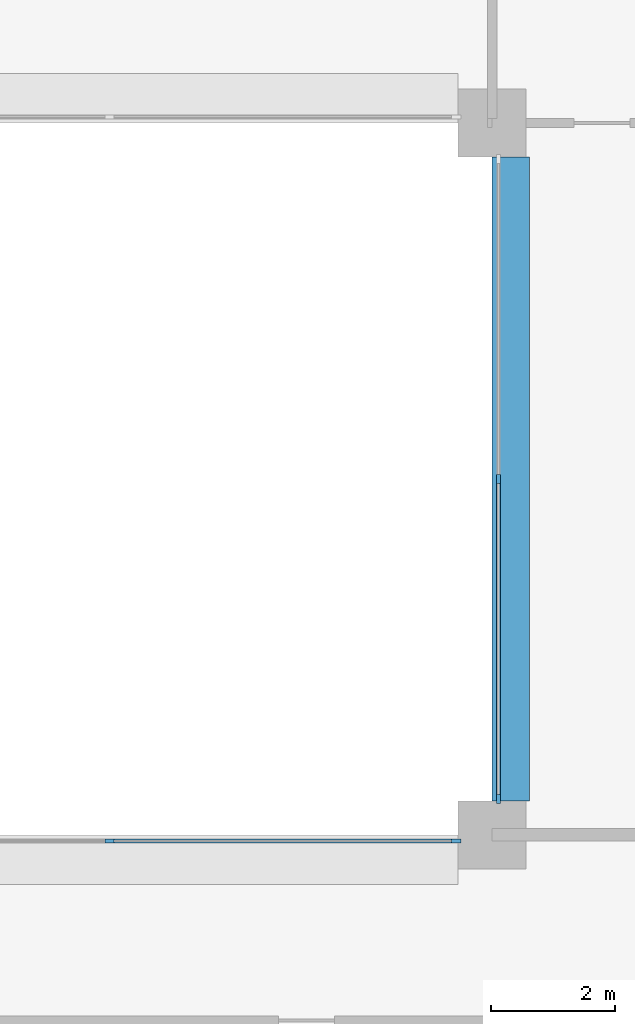
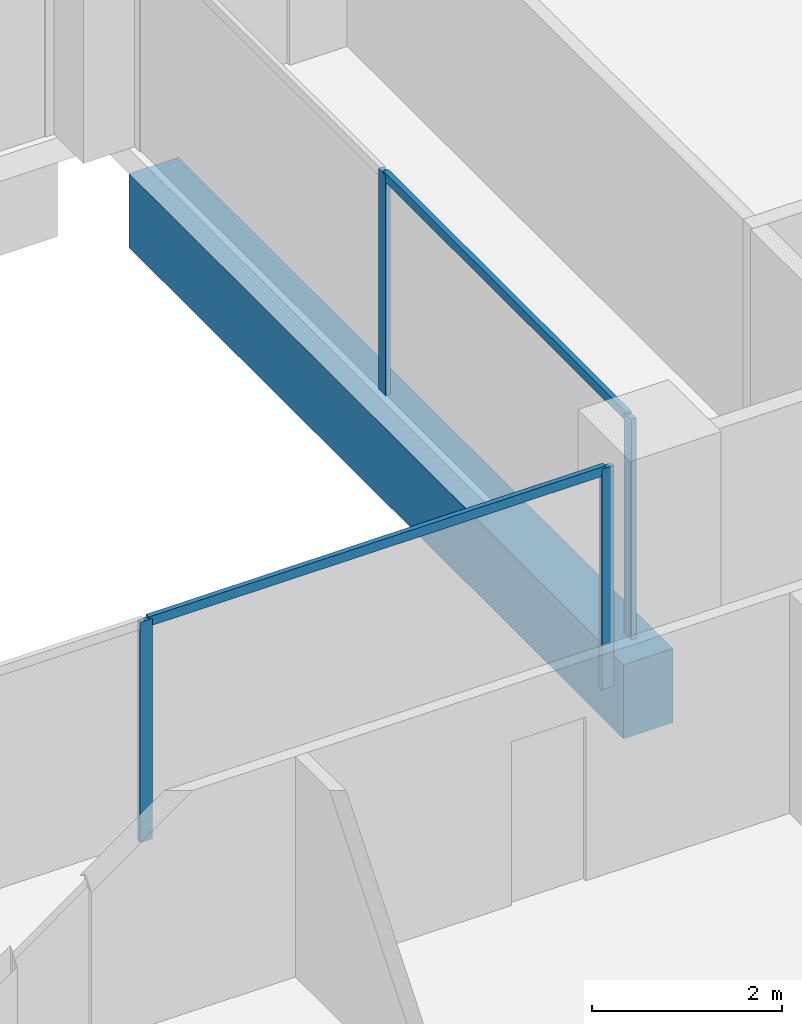
# One storey, part 4 of 15: 6 members, 1 beam, 2 elements without a shape of their own.
"""IFC4 building model written with IfcOpenShell, lengths in metres."""

from ifc_helpers import new_model, si_unit, direction, frame, origin, origin_2d, place, context, subcontext, project, spatial, rectangle, extrude, material, layer, layer_set, material_profile, profile_set, type_object, element, aggregate, save


model = new_model("IFC4")

# Units and contexts
model_context = context("Model", 3, precision=1e-05, world=origin(), true_north=direction((0.0, 1.0)))
body_context = subcontext(model_context, "Body", "Model", "MODEL_VIEW")
ifc_project = project(units=[si_unit("LENGTHUNIT", "METRE"), si_unit("AREAUNIT", "SQUARE_METRE"), si_unit("VOLUMEUNIT", "CUBIC_METRE"), si_unit("PLANEANGLEUNIT", "RADIAN"), si_unit("MASSUNIT", "GRAM", prefix="KILO")], contexts=[model_context])

# Site, building, storey
site_placement = place(None, origin())
site = spatial("IfcSite", under=ifc_project, at=site_placement, CompositionType="ELEMENT")
building_placement = place(site_placement, origin())
building = spatial("IfcBuilding", under=site, at=building_placement, Name="Brigalow Station Residences", CompositionType="ELEMENT")
storey_placement = place(building_placement, frame((0.0, 0.0, 144.449951171875)))
storey = spatial("IfcBuildingStorey", under=building, at=storey_placement, Name="L41", CompositionType="ELEMENT", Elevation=144.449951171875)

# Beam
ifc_material_1 = material(Name="Concrete C65", Category="concrete")
ifc_material_profile_1 = material_profile(ifc_material_1, rectangle(XDim=0.60009765625, YDim=0.949951171875, at=origin_2d()), Name="RC600x950")
ifc_profile_set_1 = profile_set([ifc_material_profile_1], Name="Concrete C65")
beam_type = type_object("IfcBeamType", Name="ATRIUM EDGE GIRDER 600x950 C65", PredefinedType="BEAM", material=ifc_profile_set_1)
beam_placement = place(storey_placement, frame((45.300048828125, 24.550048828125, -0.794921875), z_axis=(0.0, 1.0, 0.0), x_axis=(-1.0, 0.0, 0.0)))
element("IfcBeam", 1, at=beam_placement, inside=storey, type_object=beam_type, Name="ATRIUM EDGE GIRDER 5 L41", PredefinedType="BEAM", context=body_context, shape_type="SweptSolid", body=[
    extrude(rectangle(XDim=0.60009765625, YDim=0.949951171875, at=origin_2d()), origin(), (0.0, 0.0, 1.0), 10.39990234375),
])

# Curtain wall, members
ifc_material_2 = material(Name="Aluminium", Category="aluminium")
ifc_layer = layer(ifc_material_2, 0.14990234375)
ifc_layer_set = layer_set([ifc_layer], Name="ATRIUM FIRE-RATED GLAZING CURTAIN WALL")
curtain_wall_type = type_object("IfcCurtainWallType", Name="ATRIUM FIRE-RATED GLAZING CURTAIN WALL", PredefinedType="NOTDEFINED", material=ifc_layer_set)
curtain_wall_1_placement = place(storey_placement, origin())
curtain_wall_1 = element("IfcCurtainWall", 2, at=curtain_wall_1_placement, inside=storey, type_object=curtain_wall_type, Name="L41/cw/atrium-S", PredefinedType="NOTDEFINED")
ifc_material_3 = material(Name="Aluminium", Category="aluminium")
ifc_material_profile_2 = material_profile(ifc_material_3, rectangle(XDim=0.06005859375, YDim=0.14990234375, at=origin_2d()), Name="ATRIUM FIRE-RATED GLAZING MULLION 60x150")
ifc_profile_set_2 = profile_set([ifc_material_profile_2], Name="Aluminium")
member_type_1 = type_object("IfcMemberType", Name="ATRIUM FIRE-RATED GLAZING MULLION 60x150", PredefinedType="MULLION", material=ifc_profile_set_2)
member_1_placement = place(storey_placement, frame((38.816650390625, 23.89990234375, 0.0), z_axis=(0.0, 0.0, 1.0), x_axis=(0.0, 1.0, 0.0)))
member_1 = element("IfcMember", 3, at=member_1_placement, type_object=member_type_1, Name="L41/cw/atrium-S/M02", PredefinedType="MULLION", context=body_context, shape_type="SweptSolid", body=[
    extrude(rectangle(XDim=0.06005859375, YDim=0.14990234375, at=origin_2d()), origin(), (0.0, 0.0, 1.0), 2.830078125),
])
member_2_placement = place(storey_placement, frame((44.419921875, 23.89990234375, 0.0), z_axis=(0.0, 0.0, 1.0), x_axis=(0.0, 1.0, 0.0)))
member_2 = element("IfcMember", 4, at=member_2_placement, type_object=member_type_1, Name="L41/cw/atrium-S/M03", PredefinedType="MULLION", context=body_context, shape_type="SweptSolid", body=[
    extrude(rectangle(XDim=0.06005859375, YDim=0.14990234375, at=origin_2d()), origin(), (0.0, 0.0, 1.0), 2.830078125),
])

curtain_wall_2_placement = place(storey_placement, origin())
curtain_wall_2 = element("IfcCurtainWall", 5, at=curtain_wall_2_placement, inside=storey, type_object=curtain_wall_type, Name="L41/cw/atrium-E", PredefinedType="NOTDEFINED")
member_3_placement = place(storey_placement, frame((45.10009765625, 24.580078125, 0.0), z_axis=(0.0, 0.0, 1.0), x_axis=(-1.0, 0.0, 0.0)))
member_3 = element("IfcMember", 6, at=member_3_placement, type_object=member_type_1, Name="L41/cw/atrium-E/M00", PredefinedType="MULLION", context=body_context, shape_type="SweptSolid", body=[
    extrude(rectangle(XDim=0.06005859375, YDim=0.14990234375, at=origin_2d()), origin(), (0.0, 0.0, 1.0), 2.830078125),
])
member_4_placement = place(storey_placement, frame((45.10009765625, 29.75, 0.0), z_axis=(0.0, 0.0, 1.0), x_axis=(-1.0, 0.0, 0.0)))
member_4 = element("IfcMember", 7, at=member_4_placement, type_object=member_type_1, Name="L41/cw/atrium-E/M01", PredefinedType="MULLION", context=body_context, shape_type="SweptSolid", body=[
    extrude(rectangle(XDim=0.06005859375, YDim=0.14990234375, at=origin_2d()), origin(), (0.0, 0.0, 1.0), 2.830078125),
])

# Member
ifc_material_4 = material(Name="Aluminium", Category="aluminium")
ifc_material_profile_3 = material_profile(ifc_material_4, rectangle(XDim=0.06005859375, YDim=0.1201171875, at=origin_2d()), Name="ATRIUM FIRE-RATED GLAZING TRANSOM 60x120")
ifc_profile_set_3 = profile_set([ifc_material_profile_3], Name="Aluminium")
member_type_2 = type_object("IfcMemberType", Name="ATRIUM FIRE-RATED GLAZING TRANSOM 60x120", PredefinedType="USERDEFINED", material=ifc_profile_set_3)
member_5_placement = place(storey_placement, frame((38.8466796875, 23.89990234375, 2.800048828125), z_axis=(1.0, 0.0, 0.0), x_axis=(0.0, 1.0, 0.0)))
member_5 = element("IfcMember", 8, at=member_5_placement, type_object=member_type_2, Name="L41/cw/atrium-S/T02-00", ObjectType="TRANSOM", PredefinedType="USERDEFINED", context=body_context, shape_type="SweptSolid", body=[
    extrude(rectangle(XDim=0.06005859375, YDim=0.1201171875, at=origin_2d()), origin(), (0.0, 0.0, 1.0), 5.543212890625),
])

aggregate(curtain_wall_1, [member_1, member_2, member_5])

member_6_placement = place(storey_placement, frame((45.10009765625, 24.610107421875, 2.800048828125), z_axis=(0.0, 1.0, 0.0), x_axis=(-1.0, 0.0, 0.0)))
member_6 = element("IfcMember", 9, at=member_6_placement, type_object=member_type_2, Name="L41/cw/atrium-E/T00-00", ObjectType="TRANSOM", PredefinedType="USERDEFINED", context=body_context, shape_type="SweptSolid", body=[
    extrude(rectangle(XDim=0.06005859375, YDim=0.1201171875, at=origin_2d()), origin(), (0.0, 0.0, 1.0), 5.10986328125),
])

aggregate(curtain_wall_2, [member_3, member_4, member_6])

save(model, "model.ifc")
